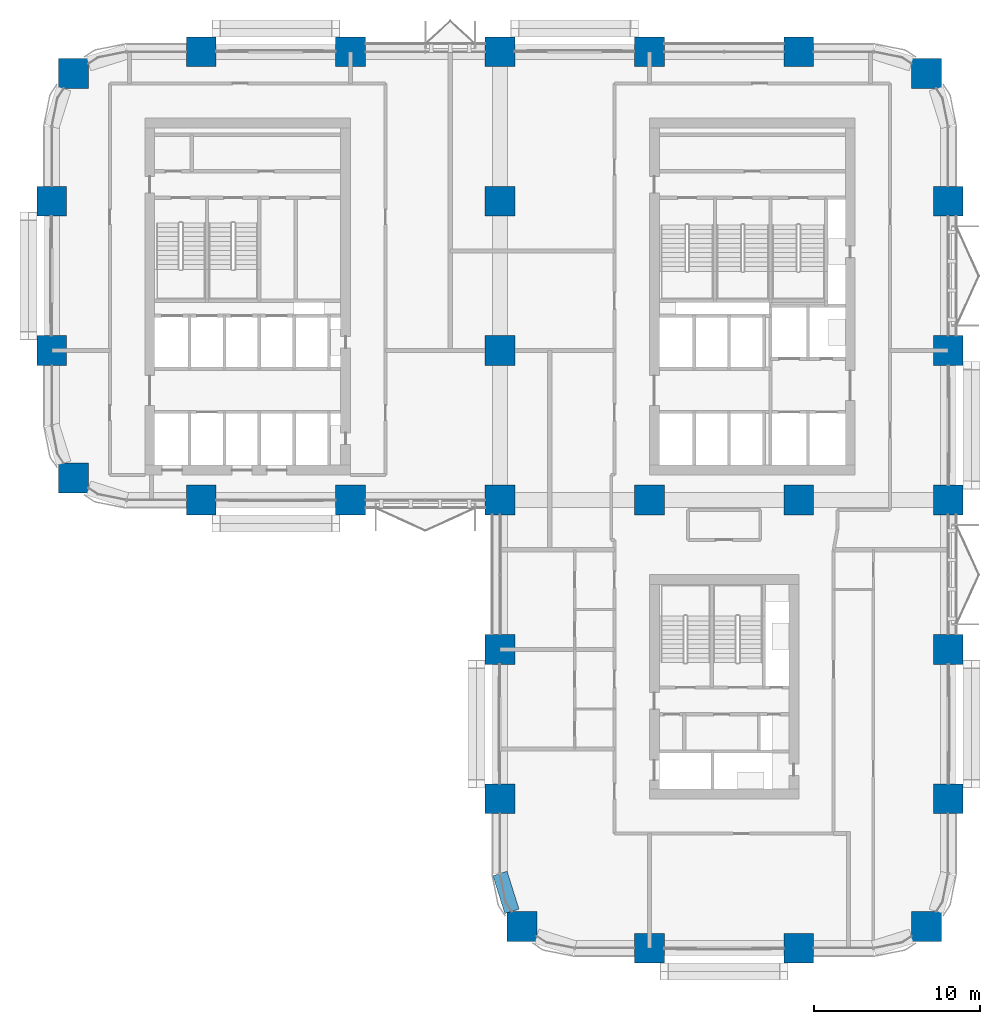
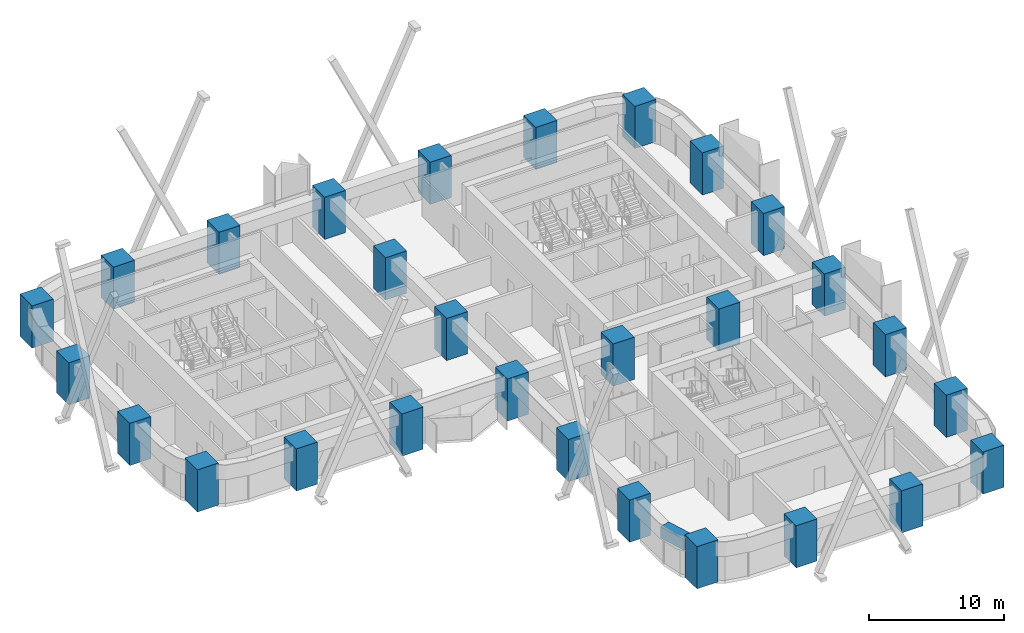
# One storey, part 1 of 19: 28 columns, 1 beam.
"""IFC4 building model written with IfcOpenShell, lengths in metres."""

from ifc_helpers import new_model, si_unit, direction, frame, origin, origin_2d, place, context, subcontext, project, spatial, rectangle, extrude, material, material_profile, profile_set, type_object, element, save


model = new_model("IFC4")

# Units and contexts
model_context = context("Model", 3, precision=1e-05, world=origin(), true_north=direction((0.0, 1.0)))
body_context = subcontext(model_context, "Body", "Model", "MODEL_VIEW")
ifc_project = project(units=[si_unit("LENGTHUNIT", "METRE"), si_unit("AREAUNIT", "SQUARE_METRE"), si_unit("VOLUMEUNIT", "CUBIC_METRE"), si_unit("PLANEANGLEUNIT", "RADIAN"), si_unit("MASSUNIT", "GRAM", prefix="KILO")], contexts=[model_context])

# Site, building, storey
site_placement = place(None, origin())
site = spatial("IfcSite", under=ifc_project, at=site_placement, CompositionType="ELEMENT")
building_placement = place(site_placement, origin())
building = spatial("IfcBuilding", under=site, at=building_placement, Name="Tessera Arch", CompositionType="ELEMENT")
storey_placement = place(building_placement, frame((0.0, 0.0, 93.0)))
storey = spatial("IfcBuildingStorey", under=building, at=storey_placement, Name="L21", CompositionType="ELEMENT", Elevation=93.0)

# Columns
ifc_material_1 = material(Name="Concrete C80/95", Category="concrete")
ifc_material_profile_1 = material_profile(ifc_material_1, rectangle(XDim=1.800048828125, YDim=1.800048828125, at=origin_2d()), Name="RC column 1800 x 1800 Concrete C80/95")
ifc_profile_set_1 = profile_set([ifc_material_profile_1], Name="Concrete C80/95")
column_type = type_object("IfcColumnType", Name="RC column 1800 x 1800 Concrete C80/95", PredefinedType="COLUMN", material=ifc_profile_set_1)
for number, where, z_axis, x_axis, name in (
    (1, (1.318115234375, 28.318115234375, 0.0), (0.0, 0.0, 1.0), (1.0, 0.0, 0.0), "Column C1D L21"),
    (2, (0.0, 36.0, 0.0), (0.0, 0.0, 1.0), (1.0, 0.0, 0.0), "Column C1E L21"),
    (3, (0.0, 45.0, 0.0), (0.0, 0.0, 1.0), (1.0, 0.0, 0.0), "Column C1F L21"),
    (4, (1.318115234375, 52.681884765625, 0.0), (0.0, 0.0, 1.0), (1.0, 0.0, 0.0), "Column C1G L21"),
    (5, (9.0, 27.0, 0.0), (0.0, 0.0, 1.0), (1.0, 0.0, 0.0), "Column C2D L21"),
    (6, (9.0, 54.0, 0.0), (0.0, 0.0, 1.0), (1.0, 0.0, 0.0), "Column C2G L21"),
    (7, (18.0, 27.0, 0.0), (0.0, 0.0, 1.0), (1.0, 0.0, 0.0), "Column C3D L21"),
    (8, (18.0, 54.0, 0.0), (0.0, 0.0, 1.0), (1.0, 0.0, 0.0), "Column C3G L21"),
    (9, (28.318115234375, 1.318115234375, 0.0), (0.0, 0.0, 1.0), (1.0, 0.0, 0.0), "Column C4A L21"),
    (10, (27.0, 9.0, 0.0), (0.0, 0.0, 1.0), (1.0, 0.0, 0.0), "Column C4B L21"),
    (11, (27.0, 18.0, 0.0), (0.0, 0.0, 1.0), (1.0, 0.0, 0.0), "Column C4C L21"),
    (12, (27.0, 27.0, 0.0), (0.0, 0.0, 1.0), (1.0, 0.0, 0.0), "Column C4D L21"),
    (13, (27.0, 36.0, 0.0), (0.0, 0.0, 1.0), (1.0, 0.0, 0.0), "Column C4E L21"),
    (14, (27.0, 45.0, 0.0), (0.0, 0.0, 1.0), (1.0, 0.0, 0.0), "Column C4F L21"),
    (15, (27.0, 54.0, 0.0), (0.0, 0.0, 1.0), (1.0, 0.0, 0.0), "Column C4G L21"),
    (16, (36.0, 0.0, 0.0), (0.0, 0.0, 1.0), (1.0, 0.0, 0.0), "Column C5A L21"),
    (17, (36.0, 27.0, 0.0), (0.0, 0.0, 1.0), (1.0, 0.0, 0.0), "Column C5D L21"),
    (18, (36.0, 54.0, 0.0), (0.0, 0.0, 1.0), (1.0, 0.0, 0.0), "Column C5G L21"),
    (19, (45.0, 0.0, 0.0), (0.0, 0.0, 1.0), (1.0, 0.0, 0.0), "Column C6A L21"),
    (20, (45.0, 27.0, 0.0), (0.0, 0.0, 1.0), (1.0, 0.0, 0.0), "Column C6D L21"),
    (21, (45.0, 54.0, 0.0), (0.0, 0.0, 1.0), (1.0, 0.0, 0.0), "Column C6G L21"),
    (22, (52.681884765625, 1.318115234375, 0.0), (0.0, 0.0, 1.0), (1.0, 0.0, 0.0), "Column C7A L21"),
    (23, (54.0, 9.0, 0.0), (0.0, 0.0, 1.0), (1.0, 0.0, 0.0), "Column C7B L21"),
    (24, (54.0, 18.0, 0.0), (0.0, 0.0, 1.0), (1.0, 0.0, 0.0), "Column C7C L21"),
    (25, (54.0, 27.0, 0.0), (0.0, 0.0, 1.0), (1.0, 0.0, 0.0), "Column C7D L21"),
    (26, (54.0, 36.0, 0.0), (0.0, 0.0, 1.0), (1.0, 0.0, 0.0), "Column C7E L21"),
    (27, (54.0, 45.0, 0.0), (0.0, 0.0, 1.0), (1.0, 0.0, 0.0), "Column C7F L21"),
    (28, (52.681884765625, 52.681884765625, 0.0), (0.0, 0.0, 1.0), (1.0, 0.0, 0.0), "Column C7G L21"),
):
    element("IfcColumn", number, at=place(storey_placement, frame(where, z_axis=z_axis, x_axis=x_axis)), inside=storey, type_object=column_type, Name=name, PredefinedType="COLUMN", context=body_context, shape_type="SweptSolid", body=[
        extrude(rectangle(XDim=1.800048828125, YDim=1.800048828125, at=origin_2d()), origin(), (0.0, 0.0, 1.0), 3.800048828125),
    ])

# Beam
ifc_material_2 = material(Name="Concrete C80/95", Category="concrete")
ifc_material_profile_2 = material_profile(ifc_material_2, rectangle(XDim=0.89990234375, YDim=1.0, at=origin_2d()), Name="RC spandrel beam 900 x 1000 Concrete C80/95")
ifc_profile_set_2 = profile_set([ifc_material_profile_2], Name="Concrete C80/95")
beam_type = type_object("IfcBeamType", Name="RC spandrel beam 900 x 1000 Concrete C80/95", PredefinedType="BEAM", material=ifc_profile_set_2)
beam_placement = place(storey_placement, frame((27.0, 4.5, 3.0), z_axis=(0.299675309057, -0.954041251279, 0.0), x_axis=(0.954041251279, 0.299675309057, 0.0)))
element("IfcBeam", 29, at=beam_placement, inside=storey, type_object=beam_type, Name="Spandrel beam L21 W27.0/2.2", PredefinedType="BEAM", context=body_context, shape_type="SweptSolid", body=[
    extrude(rectangle(XDim=0.89990234375, YDim=1.0, at=origin_2d()), origin(), (0.0, 0.0, 1.0), 2.391845703125),
])

save(model, "model.ifc")
